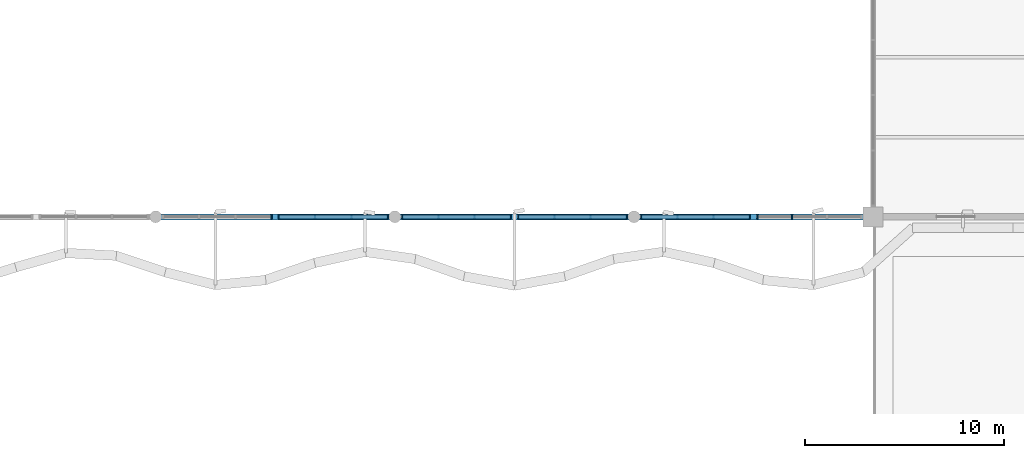
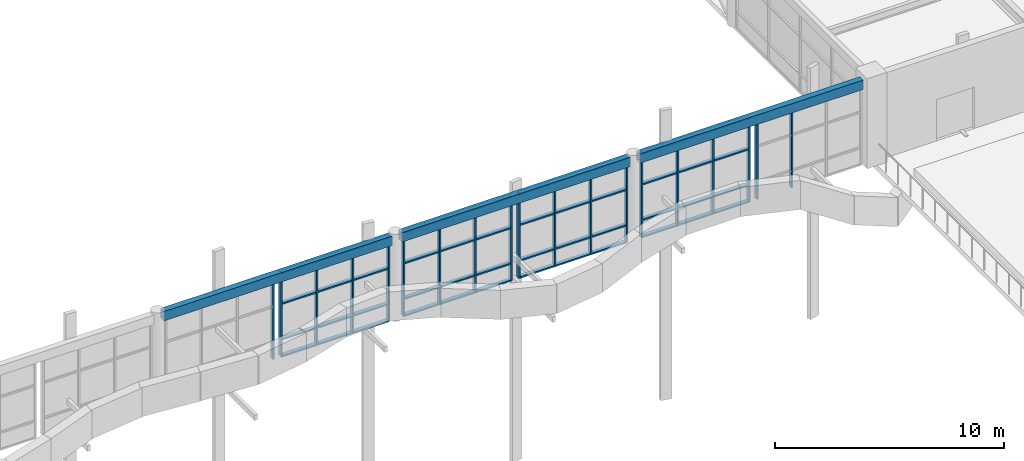
# One storey, part 18 of 63: 35 members, 3 beams, 6 elements without a shape of their own.
"""IFC4 building model written with IfcOpenShell, lengths in metres."""

import ifcopenshell
import ifcopenshell.guid

model = None  # the IFC model being written
_history = None  # IfcOwnerHistory: only IFC2X3 demands one
_inside = {}  # id of a spatial element -> (the spatial element, [elements in it])
_under = {}  # id of a project, library or spatial element -> (it, [spatial elements below it])
_declared = {}  # id of a project -> (the project, [libraries it declares])
_typed = {}  # id of a type object -> (the type object, [elements of that type])
_made_of = {}  # id of a material, layer set ... -> (it, [elements and type objects made of it])


def new_model(schema):
    """Start an empty IFC model of exactly this schema.

    Asked for "IFC4X3", IfcOpenShell would pick the latest addendum, in which some entities
    have other attributes; the version numbers below select the first issue.
    IFC2X3 requires an IfcOwnerHistory on every rooted entity: one is made here for all.
    """
    global model, _history
    if schema == "IFC4X3":
        model = ifcopenshell.file(schema_version=(4, 3, 0, 0))
    else:
        model = ifcopenshell.file(schema=schema)
    _inside.clear()
    _under.clear()
    _declared.clear()
    _typed.clear()
    _made_of.clear()
    _history = None
    if model.schema == "IFC2X3":
        org = make("IfcOrganization", Name="unknown")
        user = make(
            "IfcPersonAndOrganization",
            ThePerson=make("IfcPerson", FamilyName="unknown"),
            TheOrganization=org,
        )
        app = make(
            "IfcApplication",
            ApplicationDeveloper=org,
            Version="unknown",
            ApplicationFullName="unknown",
            ApplicationIdentifier="unknown",
        )
        _history = make(
            "IfcOwnerHistory",
            OwningUser=user,
            OwningApplication=app,
            ChangeAction="ADDED",
            CreationDate=0,
        )
    return model


def make(cls, **values):
    """One entity of the class cls with the attributes given. An attribute that is None is left unset."""
    return model.create_entity(
        cls, **{name: value for name, value in values.items() if value is not None}
    )


def rooted(cls, **values):
    """An entity with a GlobalId (a new one), such as an element, a storey or a relation."""
    return make(cls, GlobalId=ifcopenshell.guid.new(), OwnerHistory=_history, **values)


def si_unit(unit_type, name, prefix=None):
    """IfcSIUnit, for example si_unit("LENGTHUNIT", "METRE", prefix="MILLI")."""
    return make("IfcSIUnit", UnitType=unit_type, Prefix=prefix, Name=name)


def assignment(units):
    """IfcUnitAssignment: the units of a project."""
    return None if units is None else make("IfcUnitAssignment", Units=units)


def point(xyz):
    """IfcCartesianPoint."""
    return None if xyz is None else make("IfcCartesianPoint", Coordinates=xyz)


def direction(xyz):
    """IfcDirection."""
    return None if xyz is None else make("IfcDirection", DirectionRatios=xyz)


def frame(location, z_axis=None, x_axis=None):
    """IfcAxis2Placement3D, a coordinate frame: its origin and axes. An axis left out is left unset."""
    return make(
        "IfcAxis2Placement3D",
        Location=point(location),
        Axis=direction(z_axis),
        RefDirection=direction(x_axis),
    )


def frame_2d(location, x_axis=None):
    """IfcAxis2Placement2D, a coordinate frame in the plane: its origin and x axis."""
    return make(
        "IfcAxis2Placement2D", Location=point(location), RefDirection=direction(x_axis)
    )


def origin():
    """The frame at (0, 0, 0) with its axes left unset."""
    return frame((0.0, 0.0, 0.0))


def origin_2d():
    """The frame at (0, 0) in the plane with its x axis left unset."""
    return frame_2d((0.0, 0.0))


def place(relative_to, where):
    """IfcLocalPlacement: puts the frame where relative to a parent placement (None: the world)."""
    return make(
        "IfcLocalPlacement", PlacementRelTo=relative_to, RelativePlacement=where
    )


def context(
    kind, dimensions, precision=None, world=None, true_north=None, identifier=None
):
    """IfcGeometricRepresentationContext, for example the 3D "Model" context."""
    return make(
        "IfcGeometricRepresentationContext",
        ContextIdentifier=identifier,
        ContextType=kind,
        CoordinateSpaceDimension=dimensions,
        Precision=precision,
        WorldCoordinateSystem=world,
        TrueNorth=true_north,
    )


def subcontext(parent, identifier, kind, view, scale=None):
    """IfcGeometricRepresentationSubContext, for example "Body" below "Model"."""
    return make(
        "IfcGeometricRepresentationSubContext",
        ContextIdentifier=identifier,
        ContextType=kind,
        ParentContext=parent,
        TargetScale=scale,
        TargetView=view,
    )


def project(units=None, contexts=None):
    """IfcProject with its units and contexts."""
    return rooted(
        "IfcProject",
        Name="project",
        RepresentationContexts=contexts,
        UnitsInContext=assignment(units),
    )


def spatial(cls, under=None, at=None, **own):
    """A site, building, storey or space (cls), placed at a placement, below another one or the project."""
    s = rooted(cls, ObjectPlacement=at, **own)
    if under is not None:
        _under.setdefault(under.id(), (under, []))[1].append(s)
    return s


def profile(cls, at=None, kind="AREA", **sizes):
    """A parametric profile (cls). Its sizes go by their IFC names, for example OverallWidth=200.0."""
    return make(cls, ProfileType=kind, Position=at, **sizes)


def rectangle(**sizes):
    """IfcRectangleProfileDef."""
    return profile("IfcRectangleProfileDef", **sizes)


def hollow_rectangle(**sizes):
    """IfcRectangleHollowProfileDef."""
    return profile("IfcRectangleHollowProfileDef", **sizes)


def extrude(swept, where, along, depth):
    """IfcExtrudedAreaSolid: the profile swept, set in the frame where, extruded along a direction by depth."""
    return make(
        "IfcExtrudedAreaSolid",
        SweptArea=swept,
        Position=where,
        ExtrudedDirection=direction(along),
        Depth=depth,
    )


def shape(context_of_items, identifier, shape_type, items):
    """IfcShapeRepresentation: the items that make up one representation, for example the "Body"."""
    return make(
        "IfcShapeRepresentation",
        ContextOfItems=context_of_items,
        RepresentationIdentifier=identifier,
        RepresentationType=shape_type,
        Items=items,
    )


def material(Name=None, Category=None):
    """IfcMaterial."""
    return make("IfcMaterial", Name=Name, Category=Category)


def layer(
    of_material, thickness, ventilated=None, Name=None, Category=None, Priority=None
):
    """IfcMaterialLayer: one layer of a wall or slab, of a material (None: an air gap)."""
    return make(
        "IfcMaterialLayer",
        Material=of_material,
        LayerThickness=thickness,
        IsVentilated=ventilated,
        Name=Name,
        Category=Category,
        Priority=Priority,
    )


def layer_set(layers, Name=None):
    """IfcMaterialLayerSet."""
    return make("IfcMaterialLayerSet", MaterialLayers=layers, LayerSetName=Name)


def material_profile(
    of_material, cross_section, Name=None, Category=None, Priority=None
):
    """IfcMaterialProfile: a cross section and its material."""
    return make(
        "IfcMaterialProfile",
        Name=Name,
        Material=of_material,
        Profile=cross_section,
        Priority=Priority,
        Category=Category,
    )


def profile_set(profiles, Name=None, composite=None):
    """IfcMaterialProfileSet."""
    return make(
        "IfcMaterialProfileSet",
        Name=Name,
        MaterialProfiles=profiles,
        CompositeProfile=composite,
    )


def made_of(thing, what):
    """Note that an element or type object is made of a material, layer set ...; save() writes the relation."""
    if what is not None:
        _made_of.setdefault(what.id(), (what, []))[1].append(thing)
    return thing


def type_object(cls, material=None, **own):
    """A type object (cls), such as IfcWallType, which elements share."""
    return made_of(rooted(cls, **own), material)


def element(
    cls,
    number,
    at=None,
    inside=None,
    cuts=None,
    type_object=None,
    material=None,
    context=None,
    identifier="Body",
    shape_type=None,
    held_by="IfcProductDefinitionShape",
    body=None,
    shapes=None,
    **own,
):
    """One element of the class cls, such as IfcWall. Its Tag is "e" and its number.

    at: its placement. inside: the storey or other place that contains it. cuts: it is an
    opening in that element (IfcRelVoidsElement). A single representation is given by context,
    identifier, shape_type and body (its items); several are given by shapes. held_by: the class
    of the entity that holds the representations. save() writes the other relations.
    """
    e = rooted(cls, Tag="e%d" % number, ObjectPlacement=at, **own)
    if body is not None:
        shapes = [shape(context, identifier, shape_type, body)]
    if shapes is not None:
        e.Representation = make(held_by, Representations=shapes)
    if inside is not None:
        _inside.setdefault(inside.id(), (inside, []))[1].append(e)
    if cuts is not None:
        rooted(
            "IfcRelVoidsElement", RelatingBuildingElement=cuts, RelatedOpeningElement=e
        )
    if type_object is not None:
        _typed.setdefault(type_object.id(), (type_object, []))[1].append(e)
    return made_of(e, material)


def aggregate(whole, parts):
    """IfcRelAggregates: a whole, such as a stair, and the parts it consists of."""
    return rooted("IfcRelAggregates", RelatingObject=whole, RelatedObjects=parts)


def save(model, path):
    """Write the relations noted so far, then the file.

    IfcRelAggregates (storeys below a building ...), IfcRelContainedInSpatialStructure (elements
    in a storey), IfcRelDefinesByType, IfcRelAssociatesMaterial and IfcRelDeclares: one each for
    every whole, place, type object, material and project.
    """
    for whole, parts in _under.values():
        aggregate(whole, parts)
    for where, things in _inside.values():
        rooted(
            "IfcRelContainedInSpatialStructure",
            RelatedElements=things,
            RelatingStructure=where,
        )
    for kind, things in _typed.values():
        rooted("IfcRelDefinesByType", RelatedObjects=things, RelatingType=kind)
    for what, things in _made_of.values():
        rooted("IfcRelAssociatesMaterial", RelatedObjects=things, RelatingMaterial=what)
    for by, libraries in _declared.values():
        rooted("IfcRelDeclares", RelatingContext=by, RelatedDefinitions=libraries)
    model.write(path)


model = new_model("IFC4")

# Units and contexts
model_context = context("Model", 3, precision=1e-05, world=origin(), true_north=direction((0.0, 1.0)))
body_context = subcontext(model_context, "Body", "Model", "MODEL_VIEW")
ifc_project = project(units=[si_unit("LENGTHUNIT", "METRE"), si_unit("AREAUNIT", "SQUARE_METRE"), si_unit("VOLUMEUNIT", "CUBIC_METRE"), si_unit("PLANEANGLEUNIT", "RADIAN"), si_unit("MASSUNIT", "GRAM", prefix="KILO")], contexts=[model_context])

# Site, building, storey
site_placement = place(None, origin())
site = spatial("IfcSite", under=ifc_project, at=site_placement, CompositionType="ELEMENT")
building_placement = place(site_placement, origin())
building = spatial("IfcBuilding", under=site, at=building_placement, Name="Keelwater Ferry Terminal", CompositionType="ELEMENT")
storey_placement = place(building_placement, frame((0.0, 0.0, 10.199951171875)))
storey = spatial("IfcBuildingStorey", under=building, at=storey_placement, Name="L02", CompositionType="ELEMENT", Elevation=10.199951171875)

# Curtain wall, member
ifc_material_1 = material(Name="Thermally broken unitised aluminium and triple glass", Category="aluminium")
ifc_layer_1 = layer(ifc_material_1, 0.179931640625)
ifc_layer_set_1 = layer_set([ifc_layer_1], Name="Thermally broken unitised aluminium and triple glass")
curtain_wall_type_1 = type_object("IfcCurtainWallType", Name="CW-04 Unitised Curtain Wall 5430x4450", PredefinedType="USERDEFINED", material=ifc_layer_set_1)
curtain_wall_1_placement = place(storey_placement, origin())
curtain_wall_1 = element("IfcCurtainWall", 1, at=curtain_wall_1_placement, inside=storey, type_object=curtain_wall_type_1, Name="Unitised Curtain Wall CW-L02-019", ObjectType="UNITISED CURTAIN WALL", PredefinedType="USERDEFINED")
ifc_material_2 = material(Name="Aluminium mullion", Category="aluminium")
ifc_material_profile_1 = material_profile(ifc_material_2, rectangle(XDim=0.074951171875, YDim=0.219970703125, at=origin_2d()), Name="CWM-02")
ifc_profile_set_1 = profile_set([ifc_material_profile_1], Name="Aluminium mullion")
member_type_1 = type_object("IfcMemberType", Name="CWM-02 Curtain Mullion 75x220", PredefinedType="MULLION", material=ifc_profile_set_1)
member_1_placement = place(storey_placement, frame((101.804931640625, 42.0, 0.0), z_axis=(0.0, 0.0, 1.0), x_axis=(1.0, 0.0, 0.0)))
member_1 = element("IfcMember", 2, at=member_1_placement, type_object=member_type_1, Name="CW-L02-019 Mullion 4", PredefinedType="MULLION", context=body_context, shape_type="SweptSolid", body=[
    extrude(rectangle(XDim=0.074951171875, YDim=0.219970703125, at=origin_2d()), origin(), (0.0, 0.0, 1.0), 4.449951171875),
])
aggregate(curtain_wall_1, [member_1])

# Curtain wall, members
curtain_wall_2_placement = place(storey_placement, origin())
curtain_wall_2 = element("IfcCurtainWall", 3, at=curtain_wall_2_placement, inside=storey, type_object=curtain_wall_type_1, Name="Unitised Curtain Wall CW-L02-020", ObjectType="UNITISED CURTAIN WALL", PredefinedType="USERDEFINED")
member_2_placement = place(storey_placement, frame((102.195068359375, 42.0, 0.0), z_axis=(0.0, 0.0, 1.0), x_axis=(1.0, 0.0, 0.0)))
member_2 = element("IfcMember", 4, at=member_2_placement, type_object=member_type_1, Name="CW-L02-020 Mullion 1", PredefinedType="MULLION", context=body_context, shape_type="SweptSolid", body=[
    extrude(rectangle(XDim=0.074951171875, YDim=0.219970703125, at=origin_2d()), origin(), (0.0, 0.0, 1.0), 4.449951171875),
])
member_3_placement = place(storey_placement, frame((104.0048828125, 42.0, 0.0), z_axis=(0.0, 0.0, 1.0), x_axis=(1.0, 0.0, 0.0)))
member_3 = element("IfcMember", 5, at=member_3_placement, type_object=member_type_1, Name="CW-L02-020 Mullion 2", PredefinedType="MULLION", context=body_context, shape_type="SweptSolid", body=[
    extrude(rectangle(XDim=0.074951171875, YDim=0.219970703125, at=origin_2d()), origin(), (0.0, 0.0, 1.0), 4.449951171875),
])
member_4_placement = place(storey_placement, frame((105.81494140625, 42.0, 0.0), z_axis=(0.0, 0.0, 1.0), x_axis=(1.0, 0.0, 0.0)))
member_4 = element("IfcMember", 6, at=member_4_placement, type_object=member_type_1, Name="CW-L02-020 Mullion 3", PredefinedType="MULLION", context=body_context, shape_type="SweptSolid", body=[
    extrude(rectangle(XDim=0.074951171875, YDim=0.219970703125, at=origin_2d()), origin(), (0.0, 0.0, 1.0), 4.449951171875),
])
member_5_placement = place(storey_placement, frame((107.625, 42.0, 0.0), z_axis=(0.0, 0.0, 1.0), x_axis=(1.0, 0.0, 0.0)))
member_5 = element("IfcMember", 7, at=member_5_placement, type_object=member_type_1, Name="CW-L02-020 Mullion 4", PredefinedType="MULLION", context=body_context, shape_type="SweptSolid", body=[
    extrude(rectangle(XDim=0.074951171875, YDim=0.219970703125, at=origin_2d()), origin(), (0.0, 0.0, 1.0), 4.449951171875),
])

curtain_wall_3_placement = place(storey_placement, origin())
curtain_wall_3 = element("IfcCurtainWall", 8, at=curtain_wall_3_placement, inside=storey, type_object=curtain_wall_type_1, Name="Unitised Curtain Wall CW-L02-021", ObjectType="UNITISED CURTAIN WALL", PredefinedType="USERDEFINED")
member_6_placement = place(storey_placement, frame((108.375, 42.0, 0.0), z_axis=(0.0, 0.0, 1.0), x_axis=(1.0, 0.0, 0.0)))
member_6 = element("IfcMember", 9, at=member_6_placement, type_object=member_type_1, Name="CW-L02-021 Mullion 1", PredefinedType="MULLION", context=body_context, shape_type="SweptSolid", body=[
    extrude(rectangle(XDim=0.074951171875, YDim=0.219970703125, at=origin_2d()), origin(), (0.0, 0.0, 1.0), 4.449951171875),
])
member_7_placement = place(storey_placement, frame((110.18505859375, 42.0, 0.0), z_axis=(0.0, 0.0, 1.0), x_axis=(1.0, 0.0, 0.0)))
member_7 = element("IfcMember", 10, at=member_7_placement, type_object=member_type_1, Name="CW-L02-021 Mullion 2", PredefinedType="MULLION", context=body_context, shape_type="SweptSolid", body=[
    extrude(rectangle(XDim=0.074951171875, YDim=0.219970703125, at=origin_2d()), origin(), (0.0, 0.0, 1.0), 4.449951171875),
])
member_8_placement = place(storey_placement, frame((111.9951171875, 42.0, 0.0), z_axis=(0.0, 0.0, 1.0), x_axis=(1.0, 0.0, 0.0)))
member_8 = element("IfcMember", 11, at=member_8_placement, type_object=member_type_1, Name="CW-L02-021 Mullion 3", PredefinedType="MULLION", context=body_context, shape_type="SweptSolid", body=[
    extrude(rectangle(XDim=0.074951171875, YDim=0.219970703125, at=origin_2d()), origin(), (0.0, 0.0, 1.0), 4.449951171875),
])
member_9_placement = place(storey_placement, frame((113.804931640625, 42.0, 0.0), z_axis=(0.0, 0.0, 1.0), x_axis=(1.0, 0.0, 0.0)))
member_9 = element("IfcMember", 12, at=member_9_placement, type_object=member_type_1, Name="CW-L02-021 Mullion 4", PredefinedType="MULLION", context=body_context, shape_type="SweptSolid", body=[
    extrude(rectangle(XDim=0.074951171875, YDim=0.219970703125, at=origin_2d()), origin(), (0.0, 0.0, 1.0), 4.449951171875),
])

curtain_wall_4_placement = place(storey_placement, origin())
curtain_wall_4 = element("IfcCurtainWall", 13, at=curtain_wall_4_placement, inside=storey, type_object=curtain_wall_type_1, Name="Unitised Curtain Wall CW-L02-022", ObjectType="UNITISED CURTAIN WALL", PredefinedType="USERDEFINED")
member_10_placement = place(storey_placement, frame((114.195068359375, 42.0, 0.0), z_axis=(0.0, 0.0, 1.0), x_axis=(1.0, 0.0, 0.0)))
member_10 = element("IfcMember", 14, at=member_10_placement, type_object=member_type_1, Name="CW-L02-022 Mullion 1", PredefinedType="MULLION", context=body_context, shape_type="SweptSolid", body=[
    extrude(rectangle(XDim=0.074951171875, YDim=0.219970703125, at=origin_2d()), origin(), (0.0, 0.0, 1.0), 4.449951171875),
])
member_11_placement = place(storey_placement, frame((116.0048828125, 42.0, 0.0), z_axis=(0.0, 0.0, 1.0), x_axis=(1.0, 0.0, 0.0)))
member_11 = element("IfcMember", 15, at=member_11_placement, type_object=member_type_1, Name="CW-L02-022 Mullion 2", PredefinedType="MULLION", context=body_context, shape_type="SweptSolid", body=[
    extrude(rectangle(XDim=0.074951171875, YDim=0.219970703125, at=origin_2d()), origin(), (0.0, 0.0, 1.0), 4.449951171875),
])
member_12_placement = place(storey_placement, frame((117.81494140625, 42.0, 0.0), z_axis=(0.0, 0.0, 1.0), x_axis=(1.0, 0.0, 0.0)))
member_12 = element("IfcMember", 16, at=member_12_placement, type_object=member_type_1, Name="CW-L02-022 Mullion 3", PredefinedType="MULLION", context=body_context, shape_type="SweptSolid", body=[
    extrude(rectangle(XDim=0.074951171875, YDim=0.219970703125, at=origin_2d()), origin(), (0.0, 0.0, 1.0), 4.449951171875),
])
member_13_placement = place(storey_placement, frame((119.625, 42.0, 0.0), z_axis=(0.0, 0.0, 1.0), x_axis=(1.0, 0.0, 0.0)))
member_13 = element("IfcMember", 17, at=member_13_placement, type_object=member_type_1, Name="CW-L02-022 Mullion 4", PredefinedType="MULLION", context=body_context, shape_type="SweptSolid", body=[
    extrude(rectangle(XDim=0.074951171875, YDim=0.219970703125, at=origin_2d()), origin(), (0.0, 0.0, 1.0), 4.449951171875),
])

curtain_wall_5_placement = place(storey_placement, origin())
curtain_wall_5 = element("IfcCurtainWall", 18, at=curtain_wall_5_placement, inside=storey, type_object=curtain_wall_type_1, Name="Unitised Curtain Wall CW-L02-023", ObjectType="UNITISED CURTAIN WALL", PredefinedType="USERDEFINED")
member_14_placement = place(storey_placement, frame((120.375, 42.0, 0.0), z_axis=(0.0, 0.0, 1.0), x_axis=(1.0, 0.0, 0.0)))
member_14 = element("IfcMember", 19, at=member_14_placement, type_object=member_type_1, Name="CW-L02-023 Mullion 1", PredefinedType="MULLION", context=body_context, shape_type="SweptSolid", body=[
    extrude(rectangle(XDim=0.074951171875, YDim=0.219970703125, at=origin_2d()), origin(), (0.0, 0.0, 1.0), 4.449951171875),
])
member_15_placement = place(storey_placement, frame((122.18505859375, 42.0, 0.0), z_axis=(0.0, 0.0, 1.0), x_axis=(1.0, 0.0, 0.0)))
member_15 = element("IfcMember", 20, at=member_15_placement, type_object=member_type_1, Name="CW-L02-023 Mullion 2", PredefinedType="MULLION", context=body_context, shape_type="SweptSolid", body=[
    extrude(rectangle(XDim=0.074951171875, YDim=0.219970703125, at=origin_2d()), origin(), (0.0, 0.0, 1.0), 4.449951171875),
])
member_16_placement = place(storey_placement, frame((123.9951171875, 42.0, 0.0), z_axis=(0.0, 0.0, 1.0), x_axis=(1.0, 0.0, 0.0)))
member_16 = element("IfcMember", 21, at=member_16_placement, type_object=member_type_1, Name="CW-L02-023 Mullion 3", PredefinedType="MULLION", context=body_context, shape_type="SweptSolid", body=[
    extrude(rectangle(XDim=0.074951171875, YDim=0.219970703125, at=origin_2d()), origin(), (0.0, 0.0, 1.0), 4.449951171875),
])
member_17_placement = place(storey_placement, frame((125.804931640625, 42.0, 0.0), z_axis=(0.0, 0.0, 1.0), x_axis=(1.0, 0.0, 0.0)))
member_17 = element("IfcMember", 22, at=member_17_placement, type_object=member_type_1, Name="CW-L02-023 Mullion 4", PredefinedType="MULLION", context=body_context, shape_type="SweptSolid", body=[
    extrude(rectangle(XDim=0.074951171875, YDim=0.219970703125, at=origin_2d()), origin(), (0.0, 0.0, 1.0), 4.449951171875),
])

ifc_material_3 = material(Name="Thermally broken unitised aluminium and triple glass", Category="aluminium")
ifc_layer_2 = layer(ifc_material_3, 0.179931640625)
ifc_layer_set_2 = layer_set([ifc_layer_2], Name="Thermally broken unitised aluminium and triple glass")
curtain_wall_type_2 = type_object("IfcCurtainWallType", Name="CW-03 Unitised Curtain Wall 5230x4450", PredefinedType="USERDEFINED", material=ifc_layer_set_2)
curtain_wall_6_placement = place(storey_placement, origin())
curtain_wall_6 = element("IfcCurtainWall", 23, at=curtain_wall_6_placement, inside=storey, type_object=curtain_wall_type_2, Name="Unitised Curtain Wall CW-L02-024", ObjectType="UNITISED CURTAIN WALL", PredefinedType="USERDEFINED")
member_18_placement = place(storey_placement, frame((126.195068359375, 42.0, 0.0), z_axis=(0.0, 0.0, 1.0), x_axis=(1.0, 0.0, 0.0)))
member_18 = element("IfcMember", 24, at=member_18_placement, type_object=member_type_1, Name="CW-L02-024 Mullion 1", PredefinedType="MULLION", context=body_context, shape_type="SweptSolid", body=[
    extrude(rectangle(XDim=0.074951171875, YDim=0.219970703125, at=origin_2d()), origin(), (0.0, 0.0, 1.0), 4.449951171875),
])
member_19_placement = place(storey_placement, frame((127.938232421875, 42.0, 0.0), z_axis=(0.0, 0.0, 1.0), x_axis=(1.0, 0.0, 0.0)))
member_19 = element("IfcMember", 25, at=member_19_placement, type_object=member_type_1, Name="CW-L02-024 Mullion 2", PredefinedType="MULLION", context=body_context, shape_type="SweptSolid", body=[
    extrude(rectangle(XDim=0.074951171875, YDim=0.219970703125, at=origin_2d()), origin(), (0.0, 0.0, 1.0), 4.449951171875),
])
aggregate(curtain_wall_6, [member_18, member_19])

# Member
ifc_material_4 = material(Name="Aluminium mullion", Category="aluminium")
ifc_material_profile_2 = material_profile(ifc_material_4, rectangle(XDim=0.199951171875, YDim=0.074951171875, at=origin_2d()), Name="CWT-02")
ifc_profile_set_2 = profile_set([ifc_material_profile_2], Name="Aluminium mullion")
member_type_2 = type_object("IfcMemberType", Name="CWT-02 Curtain Transom 75x200", PredefinedType="USERDEFINED", material=ifc_profile_set_2)
member_20_placement = place(storey_placement, frame((102.195068359375, 42.0, 0.0), z_axis=(1.0, 0.0, 0.0), x_axis=(0.0, 1.0, 0.0)))
member_20 = element("IfcMember", 26, at=member_20_placement, type_object=member_type_2, Name="CW-L02-020 Transom 1", ObjectType="TRANSOM", PredefinedType="USERDEFINED", context=body_context, shape_type="SweptSolid", body=[
    extrude(rectangle(XDim=0.199951171875, YDim=0.074951171875, at=origin_2d()), origin(), (0.0, 0.0, 1.0), 5.429931640625),
])

member_21_placement = place(storey_placement, frame((102.195068359375, 42.0, 0.900146484375), z_axis=(1.0, 0.0, 0.0), x_axis=(0.0, 1.0, 0.0)))
member_21 = element("IfcMember", 27, at=member_21_placement, type_object=member_type_2, Name="CW-L02-020 Transom 2", ObjectType="TRANSOM", PredefinedType="USERDEFINED", context=body_context, shape_type="SweptSolid", body=[
    extrude(rectangle(XDim=0.199951171875, YDim=0.074951171875, at=origin_2d()), origin(), (0.0, 0.0, 1.0), 5.429931640625),
])

member_22_placement = place(storey_placement, frame((102.195068359375, 42.0, 2.800048828125), z_axis=(1.0, 0.0, 0.0), x_axis=(0.0, 1.0, 0.0)))
member_22 = element("IfcMember", 28, at=member_22_placement, type_object=member_type_2, Name="CW-L02-020 Transom 3", ObjectType="TRANSOM", PredefinedType="USERDEFINED", context=body_context, shape_type="SweptSolid", body=[
    extrude(rectangle(XDim=0.199951171875, YDim=0.074951171875, at=origin_2d()), origin(), (0.0, 0.0, 1.0), 5.429931640625),
])

member_23_placement = place(storey_placement, frame((102.195068359375, 42.0, 4.449951171875), z_axis=(1.0, 0.0, 0.0), x_axis=(0.0, 1.0, 0.0)))
member_23 = element("IfcMember", 29, at=member_23_placement, type_object=member_type_2, Name="CW-L02-020 Transom 4", ObjectType="TRANSOM", PredefinedType="USERDEFINED", context=body_context, shape_type="SweptSolid", body=[
    extrude(rectangle(XDim=0.199951171875, YDim=0.074951171875, at=origin_2d()), origin(), (0.0, 0.0, 1.0), 5.429931640625),
])

aggregate(curtain_wall_2, [member_2, member_3, member_4, member_5, member_20, member_21, member_22, member_23])

member_24_placement = place(storey_placement, frame((108.375, 42.0, 0.0), z_axis=(1.0, 0.0, 0.0), x_axis=(0.0, 1.0, 0.0)))
member_24 = element("IfcMember", 30, at=member_24_placement, type_object=member_type_2, Name="CW-L02-021 Transom 1", ObjectType="TRANSOM", PredefinedType="USERDEFINED", context=body_context, shape_type="SweptSolid", body=[
    extrude(rectangle(XDim=0.199951171875, YDim=0.074951171875, at=origin_2d()), origin(), (0.0, 0.0, 1.0), 5.429931640625),
])

member_25_placement = place(storey_placement, frame((108.375, 42.0, 0.900146484375), z_axis=(1.0, 0.0, 0.0), x_axis=(0.0, 1.0, 0.0)))
member_25 = element("IfcMember", 31, at=member_25_placement, type_object=member_type_2, Name="CW-L02-021 Transom 2", ObjectType="TRANSOM", PredefinedType="USERDEFINED", context=body_context, shape_type="SweptSolid", body=[
    extrude(rectangle(XDim=0.199951171875, YDim=0.074951171875, at=origin_2d()), origin(), (0.0, 0.0, 1.0), 5.429931640625),
])

member_26_placement = place(storey_placement, frame((108.375, 42.0, 2.800048828125), z_axis=(1.0, 0.0, 0.0), x_axis=(0.0, 1.0, 0.0)))
member_26 = element("IfcMember", 32, at=member_26_placement, type_object=member_type_2, Name="CW-L02-021 Transom 3", ObjectType="TRANSOM", PredefinedType="USERDEFINED", context=body_context, shape_type="SweptSolid", body=[
    extrude(rectangle(XDim=0.199951171875, YDim=0.074951171875, at=origin_2d()), origin(), (0.0, 0.0, 1.0), 5.429931640625),
])

member_27_placement = place(storey_placement, frame((108.375, 42.0, 4.449951171875), z_axis=(1.0, 0.0, 0.0), x_axis=(0.0, 1.0, 0.0)))
member_27 = element("IfcMember", 33, at=member_27_placement, type_object=member_type_2, Name="CW-L02-021 Transom 4", ObjectType="TRANSOM", PredefinedType="USERDEFINED", context=body_context, shape_type="SweptSolid", body=[
    extrude(rectangle(XDim=0.199951171875, YDim=0.074951171875, at=origin_2d()), origin(), (0.0, 0.0, 1.0), 5.429931640625),
])

aggregate(curtain_wall_3, [member_6, member_7, member_8, member_9, member_24, member_25, member_26, member_27])

member_28_placement = place(storey_placement, frame((114.195068359375, 42.0, 0.0), z_axis=(1.0, 0.0, 0.0), x_axis=(0.0, 1.0, 0.0)))
member_28 = element("IfcMember", 34, at=member_28_placement, type_object=member_type_2, Name="CW-L02-022 Transom 1", ObjectType="TRANSOM", PredefinedType="USERDEFINED", context=body_context, shape_type="SweptSolid", body=[
    extrude(rectangle(XDim=0.199951171875, YDim=0.074951171875, at=origin_2d()), origin(), (0.0, 0.0, 1.0), 5.429931640625),
])

member_29_placement = place(storey_placement, frame((114.195068359375, 42.0, 0.900146484375), z_axis=(1.0, 0.0, 0.0), x_axis=(0.0, 1.0, 0.0)))
member_29 = element("IfcMember", 35, at=member_29_placement, type_object=member_type_2, Name="CW-L02-022 Transom 2", ObjectType="TRANSOM", PredefinedType="USERDEFINED", context=body_context, shape_type="SweptSolid", body=[
    extrude(rectangle(XDim=0.199951171875, YDim=0.074951171875, at=origin_2d()), origin(), (0.0, 0.0, 1.0), 5.429931640625),
])

member_30_placement = place(storey_placement, frame((114.195068359375, 42.0, 2.800048828125), z_axis=(1.0, 0.0, 0.0), x_axis=(0.0, 1.0, 0.0)))
member_30 = element("IfcMember", 36, at=member_30_placement, type_object=member_type_2, Name="CW-L02-022 Transom 3", ObjectType="TRANSOM", PredefinedType="USERDEFINED", context=body_context, shape_type="SweptSolid", body=[
    extrude(rectangle(XDim=0.199951171875, YDim=0.074951171875, at=origin_2d()), origin(), (0.0, 0.0, 1.0), 5.429931640625),
])

member_31_placement = place(storey_placement, frame((114.195068359375, 42.0, 4.449951171875), z_axis=(1.0, 0.0, 0.0), x_axis=(0.0, 1.0, 0.0)))
member_31 = element("IfcMember", 37, at=member_31_placement, type_object=member_type_2, Name="CW-L02-022 Transom 4", ObjectType="TRANSOM", PredefinedType="USERDEFINED", context=body_context, shape_type="SweptSolid", body=[
    extrude(rectangle(XDim=0.199951171875, YDim=0.074951171875, at=origin_2d()), origin(), (0.0, 0.0, 1.0), 5.429931640625),
])

aggregate(curtain_wall_4, [member_10, member_11, member_12, member_13, member_28, member_29, member_30, member_31])

member_32_placement = place(storey_placement, frame((120.375, 42.0, 0.0), z_axis=(1.0, 0.0, 0.0), x_axis=(0.0, 1.0, 0.0)))
member_32 = element("IfcMember", 38, at=member_32_placement, type_object=member_type_2, Name="CW-L02-023 Transom 1", ObjectType="TRANSOM", PredefinedType="USERDEFINED", context=body_context, shape_type="SweptSolid", body=[
    extrude(rectangle(XDim=0.199951171875, YDim=0.074951171875, at=origin_2d()), origin(), (0.0, 0.0, 1.0), 5.429931640625),
])

member_33_placement = place(storey_placement, frame((120.375, 42.0, 0.900146484375), z_axis=(1.0, 0.0, 0.0), x_axis=(0.0, 1.0, 0.0)))
member_33 = element("IfcMember", 39, at=member_33_placement, type_object=member_type_2, Name="CW-L02-023 Transom 2", ObjectType="TRANSOM", PredefinedType="USERDEFINED", context=body_context, shape_type="SweptSolid", body=[
    extrude(rectangle(XDim=0.199951171875, YDim=0.074951171875, at=origin_2d()), origin(), (0.0, 0.0, 1.0), 5.429931640625),
])

member_34_placement = place(storey_placement, frame((120.375, 42.0, 2.800048828125), z_axis=(1.0, 0.0, 0.0), x_axis=(0.0, 1.0, 0.0)))
member_34 = element("IfcMember", 40, at=member_34_placement, type_object=member_type_2, Name="CW-L02-023 Transom 3", ObjectType="TRANSOM", PredefinedType="USERDEFINED", context=body_context, shape_type="SweptSolid", body=[
    extrude(rectangle(XDim=0.199951171875, YDim=0.074951171875, at=origin_2d()), origin(), (0.0, 0.0, 1.0), 5.429931640625),
])

member_35_placement = place(storey_placement, frame((120.375, 42.0, 4.449951171875), z_axis=(1.0, 0.0, 0.0), x_axis=(0.0, 1.0, 0.0)))
member_35 = element("IfcMember", 41, at=member_35_placement, type_object=member_type_2, Name="CW-L02-023 Transom 4", ObjectType="TRANSOM", PredefinedType="USERDEFINED", context=body_context, shape_type="SweptSolid", body=[
    extrude(rectangle(XDim=0.199951171875, YDim=0.074951171875, at=origin_2d()), origin(), (0.0, 0.0, 1.0), 5.429931640625),
])

aggregate(curtain_wall_5, [member_14, member_15, member_16, member_17, member_32, member_33, member_34, member_35])

# Beams
ifc_material_5 = material(Name="Steel S355", Category="steel")
ifc_material_profile_3 = material_profile(ifc_material_5, hollow_rectangle(XDim=0.300048828125, YDim=0.5, WallThickness=0.02001953125, at=origin_2d()), Name="RHS 500x300x20")
ifc_profile_set_3 = profile_set([ifc_material_profile_3], Name="Steel S355")
beam_type = type_object("IfcBeamType", Name="RB1E RHS 500x300x20", PredefinedType="SPANDREL", material=ifc_profile_set_3)
for number, where, z_axis, x_axis, name in (
    (42, (96.24609375, 42.0, 4.27001953125), (1.0, 0.0, 0.0), (0.0, 1.0, 0.0), "Beam BM-L02-0989"),
    (43, (108.24609375, 42.0, 4.27001953125), (1.0, 0.0, 0.0), (0.0, 1.0, 0.0), "Beam BM-L02-0990"),
):
    element("IfcBeam", number, at=place(storey_placement, frame(where, z_axis=z_axis, x_axis=x_axis)), inside=storey, type_object=beam_type, Name=name, PredefinedType="SPANDREL", context=body_context, shape_type="SweptSolid", body=[
        extrude(hollow_rectangle(XDim=0.300048828125, YDim=0.5, WallThickness=0.02001953125, at=origin_2d()), origin(), (0.0, 0.0, 1.0), 11.5078125),
    ])
beam_placement = place(storey_placement, frame((120.24609375, 42.0, 4.27001953125), z_axis=(1.0, 0.0, 0.0), x_axis=(0.0, 1.0, 0.0)))
element("IfcBeam", 44, at=beam_placement, inside=storey, type_object=beam_type, Name="Beam BM-L02-0991", PredefinedType="SPANDREL", context=body_context, shape_type="SweptSolid", body=[
    extrude(hollow_rectangle(XDim=0.300048828125, YDim=0.5, WallThickness=0.02001953125, at=origin_2d()), origin(), (0.0, 0.0, 1.0), 11.263916015625),
])

save(model, "model.ifc")
